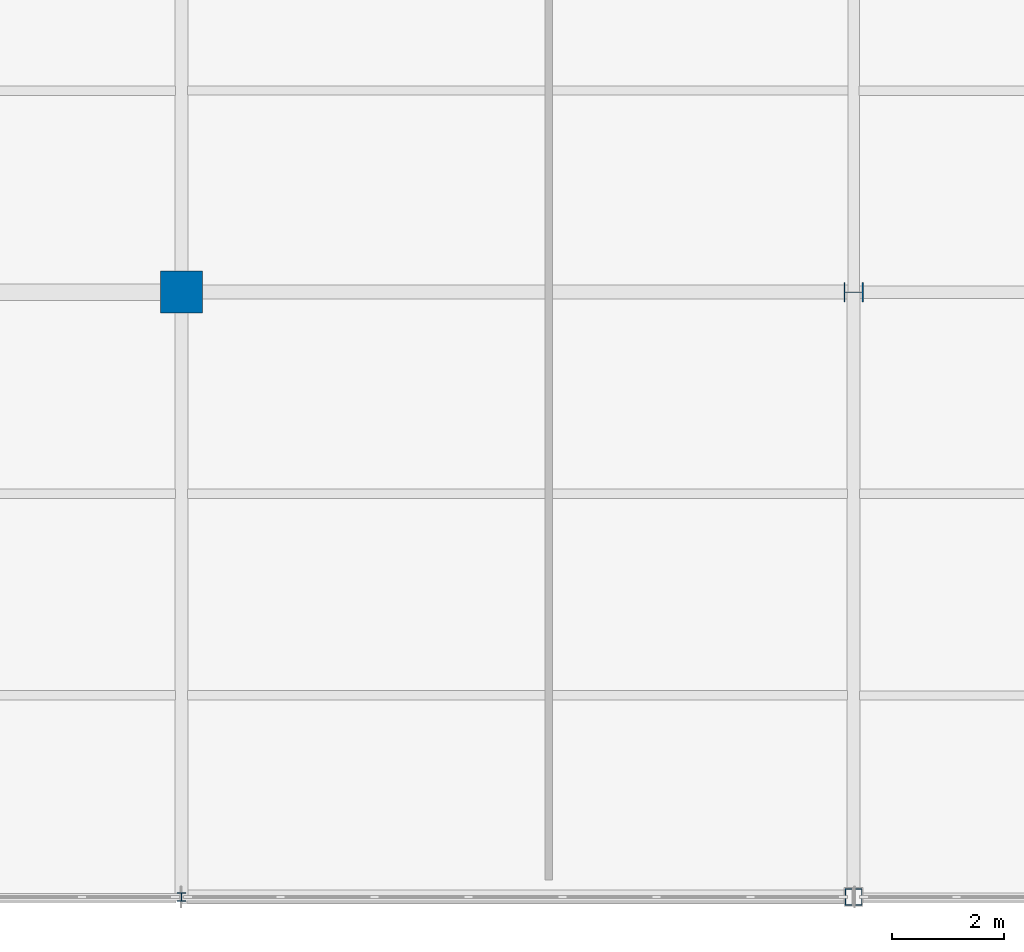
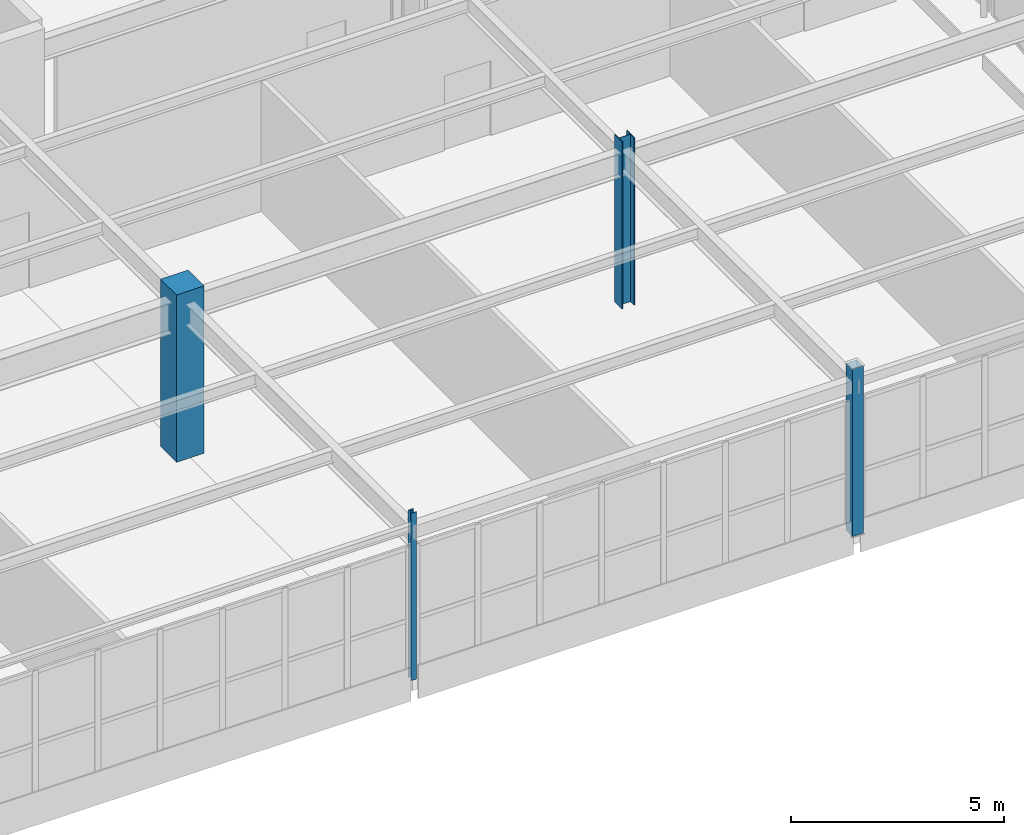
# One storey, part 37 of 186: 4 columns.
"""IFC4 building model written with IfcOpenShell, lengths in metres."""

from ifc_helpers import new_model, si_unit, direction, frame, origin, origin_2d, place, context, subcontext, project, spatial, rectangle, hollow_rectangle, i_section, extrude, material, material_profile, profile_set, type_object, element, save


model = new_model("IFC4")

# Units and contexts
model_context = context("Model", 3, precision=1e-05, world=origin(), true_north=direction((0.0, 1.0)))
body_context = subcontext(model_context, "Body", "Model", "MODEL_VIEW")
ifc_project = project(units=[si_unit("LENGTHUNIT", "METRE"), si_unit("AREAUNIT", "SQUARE_METRE"), si_unit("VOLUMEUNIT", "CUBIC_METRE"), si_unit("PLANEANGLEUNIT", "RADIAN"), si_unit("MASSUNIT", "GRAM", prefix="KILO")], contexts=[model_context])

# Site, building, storey
site_placement = place(None, origin())
site = spatial("IfcSite", under=ifc_project, at=site_placement, CompositionType="ELEMENT")
building_placement = place(site_placement, origin())
building = spatial("IfcBuilding", under=site, at=building_placement, Name="Tarnwether General Hospital", CompositionType="ELEMENT")
storey_placement = place(building_placement, frame((0.0, 0.0, 9.60009765625)))
storey = spatial("IfcBuildingStorey", under=building, at=storey_placement, Name="L02", CompositionType="ELEMENT", Elevation=9.60009765625)

# Columns
ifc_material_1 = material(Name="Steel Grade 350 (350 MPa)", Category="steel")
ifc_material_profile_1 = material_profile(ifc_material_1, i_section(OverallWidth=0.35009765625, OverallDepth=0.35009765625, WebThickness=0.013916015625, FlangeThickness=0.02392578125, at=origin_2d()), Name="350WC197")
ifc_profile_set_1 = profile_set([ifc_material_profile_1], Name="Steel Grade 350 (350 MPa)")
column_type_1 = type_object("IfcColumnType", Name="COL-04", PredefinedType="COLUMN", material=ifc_profile_set_1)
column_1_placement = place(storey_placement, frame((180.0, 10.800048828125, 0.0), z_axis=(0.0, 0.0, 1.0), x_axis=(0.0, 1.0, 0.0)))
element("IfcColumn", 1, at=column_1_placement, inside=storey, type_object=column_type_1, Name="Column COLG-L02-18000_1080", PredefinedType="COLUMN", context=body_context, shape_type="SweptSolid", body=[
    extrude(i_section(OverallWidth=0.35009765625, OverallDepth=0.35009765625, WebThickness=0.013916015625, FlangeThickness=0.02392578125, at=origin_2d()), origin(), (0.0, 0.0, 1.0), 4.7998046875),
])
ifc_material_2 = material(Name="Concrete 50 MPa", Category="concrete")
ifc_material_profile_2 = material_profile(ifc_material_2, rectangle(XDim=0.75, YDim=0.75, at=origin_2d()), Name="RC-COL-750x750")
ifc_profile_set_2 = profile_set([ifc_material_profile_2], Name="Concrete 50 MPa")
column_type_2 = type_object("IfcColumnType", Name="COL-17", PredefinedType="COLUMN", material=ifc_profile_set_2)
column_2_placement = place(storey_placement, frame((168.0, 10.800048828125, 0.0), z_axis=(0.0, 0.0, 1.0), x_axis=(1.0, 0.0, 0.0)))
element("IfcColumn", 2, at=column_2_placement, inside=storey, type_object=column_type_2, Name="Column COLG-L02-16800_1080", PredefinedType="COLUMN", context=body_context, shape_type="SweptSolid", body=[
    extrude(rectangle(XDim=0.75, YDim=0.75, at=origin_2d()), origin(), (0.0, 0.0, 1.0), 4.7998046875),
])
ifc_material_3 = material(Name="Steel Grade C350L0 (350 MPa)", Category="steel")
ifc_material_profile_3 = material_profile(ifc_material_3, hollow_rectangle(XDim=0.300048828125, YDim=0.300048828125, WallThickness=0.012451171875, at=origin_2d()), Name="SHS300x300x12.5")
ifc_profile_set_3 = profile_set([ifc_material_profile_3], Name="Steel Grade C350L0 (350 MPa)")
column_type_3 = type_object("IfcColumnType", Name="COL-30", PredefinedType="COLUMN", material=ifc_profile_set_3)
column_3_placement = place(storey_placement, frame((180.0, 0.0, 0.0), z_axis=(0.0, 0.0, 1.0), x_axis=(0.0, 1.0, 0.0)))
element("IfcColumn", 3, at=column_3_placement, inside=storey, type_object=column_type_3, Name="Column COLG-L02-18000_0", PredefinedType="COLUMN", context=body_context, shape_type="SweptSolid", body=[
    extrude(hollow_rectangle(XDim=0.300048828125, YDim=0.300048828125, WallThickness=0.012451171875, at=origin_2d()), origin(), (0.0, 0.0, 1.0), 4.7998046875),
])
ifc_material_4 = material(Name="Steel Grade 350 (350 MPa)", Category="steel")
ifc_material_profile_4 = material_profile(ifc_material_4, i_section(OverallWidth=0.152099609375, OverallDepth=0.152099609375, WebThickness=0.006103515625, FlangeThickness=0.0068359375, at=origin_2d()), Name="150UC23.4")
ifc_profile_set_4 = profile_set([ifc_material_profile_4], Name="Steel Grade 350 (350 MPa)")
column_type_4 = type_object("IfcColumnType", Name="COL-32", PredefinedType="COLUMN", material=ifc_profile_set_4)
column_4_placement = place(storey_placement, frame((168.0, 0.0, 0.0), z_axis=(0.0, 0.0, 1.0), x_axis=(1.0, 0.0, 0.0)))
element("IfcColumn", 4, at=column_4_placement, inside=storey, type_object=column_type_4, Name="Column COLG-L02-16800_0", PredefinedType="COLUMN", context=body_context, shape_type="SweptSolid", body=[
    extrude(i_section(OverallWidth=0.152099609375, OverallDepth=0.152099609375, WebThickness=0.006103515625, FlangeThickness=0.0068359375, at=origin_2d()), origin(), (0.0, 0.0, 1.0), 4.7998046875),
])

save(model, "model.ifc")
